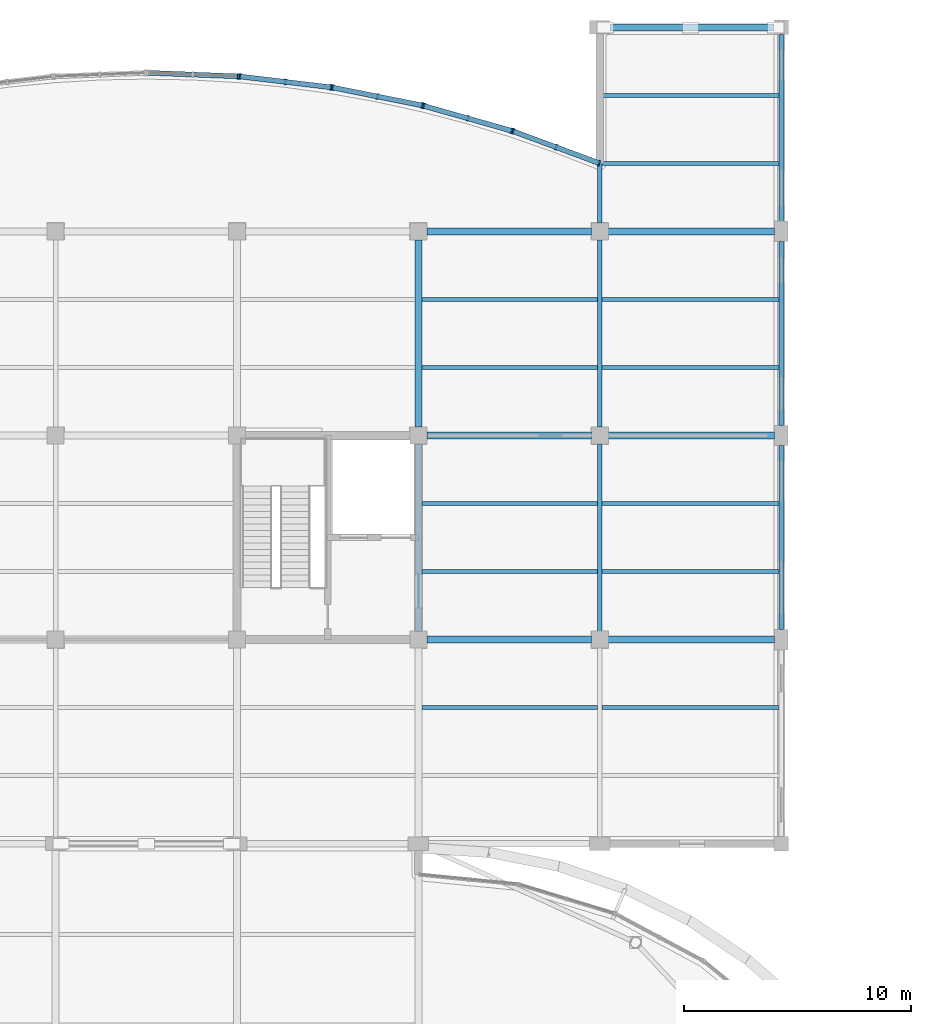
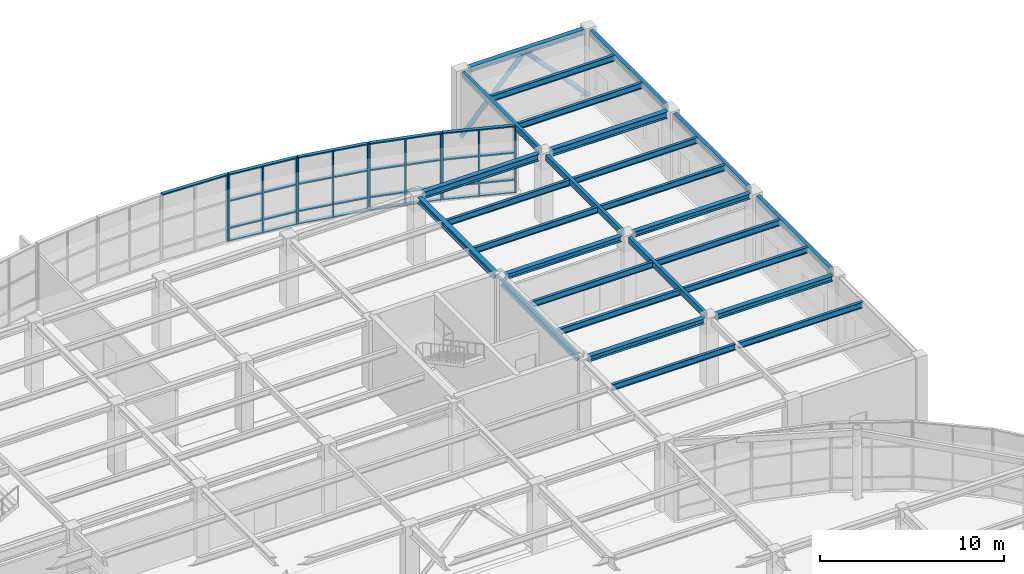
# One storey, part 34 of 72: 32 members, 27 beams, 5 elements without a shape of their own.
"""IFC4 building model written with IfcOpenShell, lengths in metres."""

from ifc_helpers import new_model, si_unit, direction, frame, origin, origin_2d, place, context, subcontext, project, spatial, rectangle, hollow_rectangle, hollow_circle, i_section, extrude, material, layer, layer_set, material_profile, profile_set, type_object, element, aggregate, save


model = new_model("IFC4")

# Units and contexts
model_context = context("Model", 3, precision=1e-05, world=origin(), true_north=direction((0.0, 1.0)))
body_context = subcontext(model_context, "Body", "Model", "MODEL_VIEW")
ifc_project = project(units=[si_unit("LENGTHUNIT", "METRE"), si_unit("AREAUNIT", "SQUARE_METRE"), si_unit("VOLUMEUNIT", "CUBIC_METRE"), si_unit("PLANEANGLEUNIT", "RADIAN"), si_unit("MASSUNIT", "GRAM", prefix="KILO")], contexts=[model_context])

# Site, building, storey
site_placement = place(None, origin())
site = spatial("IfcSite", under=ifc_project, at=site_placement, CompositionType="ELEMENT")
building_placement = place(site_placement, origin())
building = spatial("IfcBuilding", under=site, at=building_placement, Name="Keelwater Ferry Terminal", CompositionType="ELEMENT")
storey_placement = place(building_placement, frame((0.0, 0.0, 5.39990234375)))
storey = spatial("IfcBuildingStorey", under=building, at=storey_placement, Name="L01", CompositionType="ELEMENT", Elevation=5.39990234375)

# Members
ifc_material_1 = material(Name="Steel S355", Category="steel")
ifc_material_profile_1 = material_profile(ifc_material_1, hollow_circle(Radius=0.136474609375, WallThickness=0.012451171875, at=origin_2d()), Name="CHS 273x12.5")
ifc_profile_set_1 = profile_set([ifc_material_profile_1], Name="Steel S355")
member_type_1 = type_object("IfcMemberType", Name="BR2 CHS 273x12.5", PredefinedType="BRACE", material=ifc_profile_set_1)
for number, where, z_axis, x_axis, name in (
    (1, (172.0, 126.0, 0.0), (0.683655146647, 0.0, 0.729805207205), (0.0, 1.0, 0.0), "Structural Member MB-L01-0581"),
    (2, (180.0, 126.0, 0.0), (-0.683655146647, 0.0, 0.729805207205), (0.0, -1.0, 0.0), "Structural Member MB-L01-0582"),
):
    element("IfcMember", number, at=place(storey_placement, frame(where, z_axis=z_axis, x_axis=x_axis)), inside=storey, type_object=member_type_1, Name=name, PredefinedType="BRACE", context=body_context, shape_type="SweptSolid", body=[
        extrude(hollow_circle(Radius=0.136474609375, WallThickness=0.012451171875, at=origin_2d()), origin(), (0.0, 0.0, 1.0), 5.850830078125),
    ])

# Curtain wall, members
ifc_material_2 = material(Name="Thermally broken unitised aluminium and triple glass", Category="aluminium")
ifc_layer = layer(ifc_material_2, 0.179931640625)
ifc_layer_set = layer_set([ifc_layer], Name="Thermally broken unitised aluminium and triple glass")
curtain_wall_type = type_object("IfcCurtainWallType", Name="CW-21 Unitised Curtain Wall 4015x4400", PredefinedType="USERDEFINED", material=ifc_layer_set)
curtain_wall_1_placement = place(storey_placement, origin())
curtain_wall_1 = element("IfcCurtainWall", 3, at=curtain_wall_1_placement, inside=storey, type_object=curtain_wall_type, Name="Unitised Curtain Wall CW-L01-183", ObjectType="UNITISED CURTAIN WALL", PredefinedType="USERDEFINED")
ifc_material_3 = material(Name="Aluminium mullion", Category="aluminium")
ifc_material_profile_2 = material_profile(ifc_material_3, rectangle(XDim=0.080078125, YDim=0.25, at=origin_2d()), Name="CWM-04")
ifc_profile_set_2 = profile_set([ifc_material_profile_2], Name="Aluminium mullion")
member_type_2 = type_object("IfcMemberType", Name="CWM-04 Curtain Mullion 80x250", PredefinedType="MULLION", material=ifc_profile_set_2)
member_1_placement = place(storey_placement, frame((171.9580078125, 120.01611328125, 0.0), z_axis=(0.0, 0.0, 1.0), x_axis=(-0.937592418253, 0.347736189136, 0.0)))
member_1 = element("IfcMember", 4, at=member_1_placement, type_object=member_type_2, Name="CW-L01-183 Mullion 1", PredefinedType="MULLION", context=body_context, shape_type="SweptSolid", body=[
    extrude(rectangle(XDim=0.080078125, YDim=0.25, at=origin_2d()), origin(), (0.0, 0.0, 1.0), 4.400146484375),
])
member_2_placement = place(storey_placement, frame((170.075927734375, 120.714111328125, 0.0), z_axis=(0.0, 0.0, 1.0), x_axis=(-0.937592418253, 0.347736189136, 0.0)))
member_2 = element("IfcMember", 5, at=member_2_placement, type_object=member_type_2, Name="CW-L01-183 Mullion 2", PredefinedType="MULLION", context=body_context, shape_type="SweptSolid", body=[
    extrude(rectangle(XDim=0.080078125, YDim=0.25, at=origin_2d()), origin(), (0.0, 0.0, 1.0), 4.400146484375),
])
member_3_placement = place(storey_placement, frame((168.194091796875, 121.412109375, 0.0), z_axis=(0.0, 0.0, 1.0), x_axis=(-0.937592418253, 0.347736189136, 0.0)))
member_3 = element("IfcMember", 6, at=member_3_placement, type_object=member_type_2, Name="CW-L01-183 Mullion 3", PredefinedType="MULLION", context=body_context, shape_type="SweptSolid", body=[
    extrude(rectangle(XDim=0.080078125, YDim=0.25, at=origin_2d()), origin(), (0.0, 0.0, 1.0), 4.400146484375),
])

curtain_wall_2_placement = place(storey_placement, origin())
curtain_wall_2 = element("IfcCurtainWall", 7, at=curtain_wall_2_placement, inside=storey, type_object=curtain_wall_type, Name="Unitised Curtain Wall CW-L01-184", ObjectType="UNITISED CURTAIN WALL", PredefinedType="USERDEFINED")
member_4_placement = place(storey_placement, frame((168.10888671875, 121.43994140625, 0.0), z_axis=(0.0, 0.0, 1.0), x_axis=(-0.962029778706, 0.272944508797, 0.0)))
member_4 = element("IfcMember", 8, at=member_4_placement, type_object=member_type_2, Name="CW-L01-184 Mullion 1", PredefinedType="MULLION", context=body_context, shape_type="SweptSolid", body=[
    extrude(rectangle(XDim=0.080078125, YDim=0.25, at=origin_2d()), origin(), (0.0, 0.0, 1.0), 4.400146484375),
])
member_5_placement = place(storey_placement, frame((166.177490234375, 121.988037109375, 0.0), z_axis=(0.0, 0.0, 1.0), x_axis=(-0.962029778706, 0.272944508797, 0.0)))
member_5 = element("IfcMember", 9, at=member_5_placement, type_object=member_type_2, Name="CW-L01-184 Mullion 2", PredefinedType="MULLION", context=body_context, shape_type="SweptSolid", body=[
    extrude(rectangle(XDim=0.080078125, YDim=0.25, at=origin_2d()), origin(), (0.0, 0.0, 1.0), 4.400146484375),
])
member_6_placement = place(storey_placement, frame((164.24609375, 122.535888671875, 0.0), z_axis=(0.0, 0.0, 1.0), x_axis=(-0.962029778706, 0.272944508797, 0.0)))
member_6 = element("IfcMember", 10, at=member_6_placement, type_object=member_type_2, Name="CW-L01-184 Mullion 3", PredefinedType="MULLION", context=body_context, shape_type="SweptSolid", body=[
    extrude(rectangle(XDim=0.080078125, YDim=0.25, at=origin_2d()), origin(), (0.0, 0.0, 1.0), 4.400146484375),
])

curtain_wall_3_placement = place(storey_placement, origin())
curtain_wall_3 = element("IfcCurtainWall", 11, at=curtain_wall_3_placement, inside=storey, type_object=curtain_wall_type, Name="Unitised Curtain Wall CW-L01-185", ObjectType="UNITISED CURTAIN WALL", PredefinedType="USERDEFINED")
member_7_placement = place(storey_placement, frame((164.158935546875, 122.556884765625, 0.0), z_axis=(0.0, 0.0, 1.0), x_axis=(-0.98059983046, 0.196020336958, 0.0)))
member_7 = element("IfcMember", 12, at=member_7_placement, type_object=member_type_2, Name="CW-L01-185 Mullion 1", PredefinedType="MULLION", context=body_context, shape_type="SweptSolid", body=[
    extrude(rectangle(XDim=0.080078125, YDim=0.25, at=origin_2d()), origin(), (0.0, 0.0, 1.0), 4.400146484375),
])
member_8_placement = place(storey_placement, frame((162.1904296875, 122.950439453125, 0.0), z_axis=(0.0, 0.0, 1.0), x_axis=(-0.98059983046, 0.196020336958, 0.0)))
member_8 = element("IfcMember", 13, at=member_8_placement, type_object=member_type_2, Name="CW-L01-185 Mullion 2", PredefinedType="MULLION", context=body_context, shape_type="SweptSolid", body=[
    extrude(rectangle(XDim=0.080078125, YDim=0.25, at=origin_2d()), origin(), (0.0, 0.0, 1.0), 4.400146484375),
])
member_9_placement = place(storey_placement, frame((160.221923828125, 123.343994140625, 0.0), z_axis=(0.0, 0.0, 1.0), x_axis=(-0.98059983046, 0.196020336958, 0.0)))
member_9 = element("IfcMember", 14, at=member_9_placement, type_object=member_type_2, Name="CW-L01-185 Mullion 3", PredefinedType="MULLION", context=body_context, shape_type="SweptSolid", body=[
    extrude(rectangle(XDim=0.080078125, YDim=0.25, at=origin_2d()), origin(), (0.0, 0.0, 1.0), 4.400146484375),
])

curtain_wall_4_placement = place(storey_placement, origin())
curtain_wall_4 = element("IfcCurtainWall", 15, at=curtain_wall_4_placement, inside=storey, type_object=curtain_wall_type, Name="Unitised Curtain Wall CW-L01-186", ObjectType="UNITISED CURTAIN WALL", PredefinedType="USERDEFINED")
member_10_placement = place(storey_placement, frame((160.133056640625, 123.35791015625, 0.0), z_axis=(0.0, 0.0, 1.0), x_axis=(-0.992974342459, 0.118329857676, 0.0)))
member_10 = element("IfcMember", 16, at=member_10_placement, type_object=member_type_2, Name="CW-L01-186 Mullion 1", PredefinedType="MULLION", context=body_context, shape_type="SweptSolid", body=[
    extrude(rectangle(XDim=0.080078125, YDim=0.25, at=origin_2d()), origin(), (0.0, 0.0, 1.0), 4.400146484375),
])
member_11_placement = place(storey_placement, frame((158.139892578125, 123.595458984375, 0.0), z_axis=(0.0, 0.0, 1.0), x_axis=(-0.992974342459, 0.118329857676, 0.0)))
member_11 = element("IfcMember", 17, at=member_11_placement, type_object=member_type_2, Name="CW-L01-186 Mullion 2", PredefinedType="MULLION", context=body_context, shape_type="SweptSolid", body=[
    extrude(rectangle(XDim=0.080078125, YDim=0.25, at=origin_2d()), origin(), (0.0, 0.0, 1.0), 4.400146484375),
])
member_12_placement = place(storey_placement, frame((156.14697265625, 123.8330078125, 0.0), z_axis=(0.0, 0.0, 1.0), x_axis=(-0.992974342459, 0.118329857676, 0.0)))
member_12 = element("IfcMember", 18, at=member_12_placement, type_object=member_type_2, Name="CW-L01-186 Mullion 3", PredefinedType="MULLION", context=body_context, shape_type="SweptSolid", body=[
    extrude(rectangle(XDim=0.080078125, YDim=0.25, at=origin_2d()), origin(), (0.0, 0.0, 1.0), 4.400146484375),
])

# Curtain wall, member
curtain_wall_5_placement = place(storey_placement, origin())
curtain_wall_5 = element("IfcCurtainWall", 19, at=curtain_wall_5_placement, inside=storey, type_object=curtain_wall_type, Name="Unitised Curtain Wall CW-L01-187", ObjectType="UNITISED CURTAIN WALL", PredefinedType="USERDEFINED")
member_13_placement = place(storey_placement, frame((156.056884765625, 123.840087890625, 0.0), z_axis=(0.0, 0.0, 1.0), x_axis=(-0.999225435626, 0.039351350652, 0.0)))
member_13 = element("IfcMember", 20, at=member_13_placement, type_object=member_type_2, Name="CW-L01-187 Mullion 1", PredefinedType="MULLION", context=body_context, shape_type="SweptSolid", body=[
    extrude(rectangle(XDim=0.080078125, YDim=0.25, at=origin_2d()), origin(), (0.0, 0.0, 1.0), 4.400146484375),
])

# Member
ifc_material_4 = material(Name="Aluminium mullion", Category="aluminium")
ifc_material_profile_3 = material_profile(ifc_material_4, rectangle(XDim=0.219970703125, YDim=0.080078125, at=origin_2d()), Name="CWT-04")
ifc_profile_set_3 = profile_set([ifc_material_profile_3], Name="Aluminium mullion")
member_type_3 = type_object("IfcMemberType", Name="CWT-04 Curtain Transom 80x220", PredefinedType="USERDEFINED", material=ifc_profile_set_3)
member_14_placement = place(storey_placement, frame((171.9580078125, 120.01611328125, 0.0), z_axis=(-0.937590205769, 0.347742154543, 0.0), x_axis=(-0.347742154543, -0.937590205769, 0.0)))
member_14 = element("IfcMember", 21, at=member_14_placement, type_object=member_type_3, Name="CW-L01-183 Transom 1", ObjectType="TRANSOM", PredefinedType="USERDEFINED", context=body_context, shape_type="SweptSolid", body=[
    extrude(rectangle(XDim=0.219970703125, YDim=0.080078125, at=origin_2d()), origin(), (0.0, 0.0, 1.0), 4.014404296875),
])

member_15_placement = place(storey_placement, frame((171.9580078125, 120.01611328125, 0.85009765625), z_axis=(-0.937590205769, 0.347742154543, 0.0), x_axis=(-0.347742154543, -0.937590205769, 0.0)))
member_15 = element("IfcMember", 22, at=member_15_placement, type_object=member_type_3, Name="CW-L01-183 Transom 2", ObjectType="TRANSOM", PredefinedType="USERDEFINED", context=body_context, shape_type="SweptSolid", body=[
    extrude(rectangle(XDim=0.219970703125, YDim=0.080078125, at=origin_2d()), origin(), (0.0, 0.0, 1.0), 4.014404296875),
])

member_16_placement = place(storey_placement, frame((171.9580078125, 120.01611328125, 2.650146484375), z_axis=(-0.937590205769, 0.347742154543, 0.0), x_axis=(-0.347742154543, -0.937590205769, 0.0)))
member_16 = element("IfcMember", 23, at=member_16_placement, type_object=member_type_3, Name="CW-L01-183 Transom 3", ObjectType="TRANSOM", PredefinedType="USERDEFINED", context=body_context, shape_type="SweptSolid", body=[
    extrude(rectangle(XDim=0.219970703125, YDim=0.080078125, at=origin_2d()), origin(), (0.0, 0.0, 1.0), 4.014404296875),
])

member_17_placement = place(storey_placement, frame((171.9580078125, 120.01611328125, 4.400146484375), z_axis=(-0.937590205769, 0.347742154543, 0.0), x_axis=(-0.347742154543, -0.937590205769, 0.0)))
member_17 = element("IfcMember", 24, at=member_17_placement, type_object=member_type_3, Name="CW-L01-183 Transom 4", ObjectType="TRANSOM", PredefinedType="USERDEFINED", context=body_context, shape_type="SweptSolid", body=[
    extrude(rectangle(XDim=0.219970703125, YDim=0.080078125, at=origin_2d()), origin(), (0.0, 0.0, 1.0), 4.014404296875),
])

aggregate(curtain_wall_1, [member_1, member_2, member_3, member_14, member_15, member_16, member_17])

member_18_placement = place(storey_placement, frame((168.10888671875, 121.43994140625, 0.0), z_axis=(-0.962029386072, 0.272945892686, 0.0), x_axis=(-0.272945892686, -0.962029386072, 0.0)))
member_18 = element("IfcMember", 25, at=member_18_placement, type_object=member_type_3, Name="CW-L01-184 Transom 1", ObjectType="TRANSOM", PredefinedType="USERDEFINED", context=body_context, shape_type="SweptSolid", body=[
    extrude(rectangle(XDim=0.219970703125, YDim=0.080078125, at=origin_2d()), origin(), (0.0, 0.0, 1.0), 4.01513671875),
])

member_19_placement = place(storey_placement, frame((168.10888671875, 121.43994140625, 0.85009765625), z_axis=(-0.962029386072, 0.272945892686, 0.0), x_axis=(-0.272945892686, -0.962029386072, 0.0)))
member_19 = element("IfcMember", 26, at=member_19_placement, type_object=member_type_3, Name="CW-L01-184 Transom 2", ObjectType="TRANSOM", PredefinedType="USERDEFINED", context=body_context, shape_type="SweptSolid", body=[
    extrude(rectangle(XDim=0.219970703125, YDim=0.080078125, at=origin_2d()), origin(), (0.0, 0.0, 1.0), 4.01513671875),
])

member_20_placement = place(storey_placement, frame((168.10888671875, 121.43994140625, 2.650146484375), z_axis=(-0.962029386072, 0.272945892686, 0.0), x_axis=(-0.272945892686, -0.962029386072, 0.0)))
member_20 = element("IfcMember", 27, at=member_20_placement, type_object=member_type_3, Name="CW-L01-184 Transom 3", ObjectType="TRANSOM", PredefinedType="USERDEFINED", context=body_context, shape_type="SweptSolid", body=[
    extrude(rectangle(XDim=0.219970703125, YDim=0.080078125, at=origin_2d()), origin(), (0.0, 0.0, 1.0), 4.01513671875),
])

member_21_placement = place(storey_placement, frame((168.10888671875, 121.43994140625, 4.400146484375), z_axis=(-0.962029386072, 0.272945892686, 0.0), x_axis=(-0.272945892686, -0.962029386072, 0.0)))
member_21 = element("IfcMember", 28, at=member_21_placement, type_object=member_type_3, Name="CW-L01-184 Transom 4", ObjectType="TRANSOM", PredefinedType="USERDEFINED", context=body_context, shape_type="SweptSolid", body=[
    extrude(rectangle(XDim=0.219970703125, YDim=0.080078125, at=origin_2d()), origin(), (0.0, 0.0, 1.0), 4.01513671875),
])

aggregate(curtain_wall_2, [member_4, member_5, member_6, member_18, member_19, member_20, member_21])

member_22_placement = place(storey_placement, frame((164.158935546875, 122.556884765625, 0.0), z_axis=(-0.980594705866, 0.196045971209, 0.0), x_axis=(-0.196045971209, -0.980594705866, 0.0)))
member_22 = element("IfcMember", 29, at=member_22_placement, type_object=member_type_3, Name="CW-L01-185 Transom 1", ObjectType="TRANSOM", PredefinedType="USERDEFINED", context=body_context, shape_type="SweptSolid", body=[
    extrude(rectangle(XDim=0.219970703125, YDim=0.080078125, at=origin_2d()), origin(), (0.0, 0.0, 1.0), 4.014892578125),
])

member_23_placement = place(storey_placement, frame((164.158935546875, 122.556884765625, 0.85009765625), z_axis=(-0.980594705866, 0.196045971209, 0.0), x_axis=(-0.196045971209, -0.980594705866, 0.0)))
member_23 = element("IfcMember", 30, at=member_23_placement, type_object=member_type_3, Name="CW-L01-185 Transom 2", ObjectType="TRANSOM", PredefinedType="USERDEFINED", context=body_context, shape_type="SweptSolid", body=[
    extrude(rectangle(XDim=0.219970703125, YDim=0.080078125, at=origin_2d()), origin(), (0.0, 0.0, 1.0), 4.014892578125),
])

member_24_placement = place(storey_placement, frame((164.158935546875, 122.556884765625, 2.650146484375), z_axis=(-0.980594705866, 0.196045971209, 0.0), x_axis=(-0.196045971209, -0.980594705866, 0.0)))
member_24 = element("IfcMember", 31, at=member_24_placement, type_object=member_type_3, Name="CW-L01-185 Transom 3", ObjectType="TRANSOM", PredefinedType="USERDEFINED", context=body_context, shape_type="SweptSolid", body=[
    extrude(rectangle(XDim=0.219970703125, YDim=0.080078125, at=origin_2d()), origin(), (0.0, 0.0, 1.0), 4.014892578125),
])

member_25_placement = place(storey_placement, frame((164.158935546875, 122.556884765625, 4.400146484375), z_axis=(-0.980594705866, 0.196045971209, 0.0), x_axis=(-0.196045971209, -0.980594705866, 0.0)))
member_25 = element("IfcMember", 32, at=member_25_placement, type_object=member_type_3, Name="CW-L01-185 Transom 4", ObjectType="TRANSOM", PredefinedType="USERDEFINED", context=body_context, shape_type="SweptSolid", body=[
    extrude(rectangle(XDim=0.219970703125, YDim=0.080078125, at=origin_2d()), origin(), (0.0, 0.0, 1.0), 4.014892578125),
])

aggregate(curtain_wall_3, [member_7, member_8, member_9, member_22, member_23, member_24, member_25])

member_26_placement = place(storey_placement, frame((160.133056640625, 123.35791015625, 0.0), z_axis=(-0.992971776767, 0.1183513859, 0.0), x_axis=(-0.1183513859, -0.992971776767, 0.0)))
member_26 = element("IfcMember", 33, at=member_26_placement, type_object=member_type_3, Name="CW-L01-186 Transom 1", ObjectType="TRANSOM", PredefinedType="USERDEFINED", context=body_context, shape_type="SweptSolid", body=[
    extrude(rectangle(XDim=0.219970703125, YDim=0.080078125, at=origin_2d()), origin(), (0.0, 0.0, 1.0), 4.014404296875),
])

member_27_placement = place(storey_placement, frame((160.133056640625, 123.35791015625, 0.85009765625), z_axis=(-0.992971776767, 0.1183513859, 0.0), x_axis=(-0.1183513859, -0.992971776767, 0.0)))
member_27 = element("IfcMember", 34, at=member_27_placement, type_object=member_type_3, Name="CW-L01-186 Transom 2", ObjectType="TRANSOM", PredefinedType="USERDEFINED", context=body_context, shape_type="SweptSolid", body=[
    extrude(rectangle(XDim=0.219970703125, YDim=0.080078125, at=origin_2d()), origin(), (0.0, 0.0, 1.0), 4.014404296875),
])

member_28_placement = place(storey_placement, frame((160.133056640625, 123.35791015625, 2.650146484375), z_axis=(-0.992971776767, 0.1183513859, 0.0), x_axis=(-0.1183513859, -0.992971776767, 0.0)))
member_28 = element("IfcMember", 35, at=member_28_placement, type_object=member_type_3, Name="CW-L01-186 Transom 3", ObjectType="TRANSOM", PredefinedType="USERDEFINED", context=body_context, shape_type="SweptSolid", body=[
    extrude(rectangle(XDim=0.219970703125, YDim=0.080078125, at=origin_2d()), origin(), (0.0, 0.0, 1.0), 4.014404296875),
])

member_29_placement = place(storey_placement, frame((160.133056640625, 123.35791015625, 4.400146484375), z_axis=(-0.992971776767, 0.1183513859, 0.0), x_axis=(-0.1183513859, -0.992971776767, 0.0)))
member_29 = element("IfcMember", 36, at=member_29_placement, type_object=member_type_3, Name="CW-L01-186 Transom 4", ObjectType="TRANSOM", PredefinedType="USERDEFINED", context=body_context, shape_type="SweptSolid", body=[
    extrude(rectangle(XDim=0.219970703125, YDim=0.080078125, at=origin_2d()), origin(), (0.0, 0.0, 1.0), 4.014404296875),
])

aggregate(curtain_wall_4, [member_10, member_11, member_12, member_26, member_27, member_28, member_29])

member_30_placement = place(storey_placement, frame((156.056884765625, 123.840087890625, 4.400146484375), z_axis=(-0.999225822944, 0.03934151448, 0.0), x_axis=(-0.03934151448, -0.999225822944, 0.0)))
member_30 = element("IfcMember", 37, at=member_30_placement, type_object=member_type_3, Name="CW-L01-187 Transom 4", ObjectType="TRANSOM", PredefinedType="USERDEFINED", context=body_context, shape_type="SweptSolid", body=[
    extrude(rectangle(XDim=0.219970703125, YDim=0.080078125, at=origin_2d()), origin(), (0.0, 0.0, 1.0), 4.01513671875),
])

aggregate(curtain_wall_5, [member_13, member_30])

# Beams
ifc_material_5 = material(Name="Steel S355", Category="steel")
ifc_material_profile_4 = material_profile(ifc_material_5, i_section(OverallWidth=0.300048828125, OverallDepth=0.449951171875, WebThickness=0.013916015625, FlangeThickness=0.02587890625, at=origin_2d()), Name="HEB 450")
ifc_profile_set_4 = profile_set([ifc_material_profile_4], Name="Steel S355")
beam_type_1 = type_object("IfcBeamType", Name="G6 HEB 450", PredefinedType="BEAM", material=ifc_profile_set_4)
beam_1_placement = place(storey_placement, frame((164.367919921875, 117.0, 4.295166015625), z_axis=(1.0, 0.0, 0.0), x_axis=(0.0, 1.0, 0.0)))
element("IfcBeam", 38, at=beam_1_placement, inside=storey, type_object=beam_type_1, Name="Beam BM-L01-0706", PredefinedType="BEAM", context=body_context, shape_type="SweptSolid", body=[
    extrude(i_section(OverallWidth=0.300048828125, OverallDepth=0.449951171875, WebThickness=0.013916015625, FlangeThickness=0.02587890625, at=origin_2d()), origin(), (0.0, 0.0, 1.0), 7.26416015625),
])
beam_2_placement = place(storey_placement, frame((172.367919921875, 117.0, 4.295166015625), z_axis=(1.0, 0.0, 0.0), x_axis=(0.0, 1.0, 0.0)))
element("IfcBeam", 39, at=beam_2_placement, inside=storey, type_object=beam_type_1, Name="Beam BM-L01-0707", PredefinedType="BEAM", context=body_context, shape_type="SweptSolid", body=[
    extrude(i_section(OverallWidth=0.300048828125, OverallDepth=0.449951171875, WebThickness=0.013916015625, FlangeThickness=0.02587890625, at=origin_2d()), origin(), (0.0, 0.0, 1.0), 7.338134765625),
])
ifc_material_6 = material(Name="Steel S355", Category="steel")
ifc_material_profile_5 = material_profile(ifc_material_6, i_section(OverallWidth=0.300048828125, OverallDepth=0.39990234375, WebThickness=0.013427734375, FlangeThickness=0.02392578125, at=origin_2d()), Name="HEB 400")
ifc_profile_set_5 = profile_set([ifc_material_profile_5], Name="Steel S355")
beam_type_2 = type_object("IfcBeamType", Name="G7 HEB 400", PredefinedType="BEAM", material=ifc_profile_set_5)
for number, where, z_axis, x_axis, name in (
    (40, (164.0, 99.367919921875, 4.320068359375), (0.0, 1.0, 0.0), (-1.0, 0.0, 0.0), "Beam BM-L01-0797"),
    (41, (164.0, 108.367919921875, 4.320068359375), (0.0, 1.0, 0.0), (-1.0, 0.0, 0.0), "Beam BM-L01-0798"),
):
    element("IfcBeam", number, at=place(storey_placement, frame(where, z_axis=z_axis, x_axis=x_axis)), inside=storey, type_object=beam_type_2, Name=name, PredefinedType="BEAM", context=body_context, shape_type="SweptSolid", body=[
        extrude(i_section(OverallWidth=0.300048828125, OverallDepth=0.39990234375, WebThickness=0.013427734375, FlangeThickness=0.02392578125, at=origin_2d()), origin(), (0.0, 0.0, 1.0), 8.26416015625),
    ])
ifc_material_7 = material(Name="Steel S355", Category="steel")
ifc_material_profile_6 = material_profile(ifc_material_7, i_section(OverallWidth=0.179931640625, OverallDepth=0.39990234375, WebThickness=0.008544921875, FlangeThickness=0.013427734375, at=origin_2d()), Name="IPE 400")
ifc_profile_set_6 = profile_set([ifc_material_profile_6], Name="Steel S355")
beam_type_3 = type_object("IfcBeamType", Name="J5 IPE 400", PredefinedType="JOIST", material=ifc_profile_set_6)
for number, where, z_axis, x_axis, name in (
    (42, (164.14990234375, 96.0, 4.320068359375), (1.0, 0.0, 0.0), (0.0, 1.0, 0.0), "Beam BM-L01-0939"),
    (43, (164.14990234375, 102.0, 4.320068359375), (1.0, 0.0, 0.0), (0.0, 1.0, 0.0), "Beam BM-L01-0940"),
    (44, (164.14990234375, 105.0, 4.320068359375), (1.0, 0.0, 0.0), (0.0, 1.0, 0.0), "Beam BM-L01-0941"),
    (45, (164.14990234375, 111.0, 4.320068359375), (1.0, 0.0, 0.0), (0.0, 1.0, 0.0), "Beam BM-L01-0942"),
    (46, (164.14990234375, 114.0, 4.320068359375), (1.0, 0.0, 0.0), (0.0, 1.0, 0.0), "Beam BM-L01-0943"),
):
    element("IfcBeam", number, at=place(storey_placement, frame(where, z_axis=z_axis, x_axis=x_axis)), inside=storey, type_object=beam_type_3, Name=name, PredefinedType="JOIST", context=body_context, shape_type="SweptSolid", body=[
        extrude(i_section(OverallWidth=0.179931640625, OverallDepth=0.39990234375, WebThickness=0.008544921875, FlangeThickness=0.013427734375, at=origin_2d()), origin(), (0.0, 0.0, 1.0), 7.75),
    ])
for number, where, z_axis, x_axis, name in (
    (47, (172.10009765625, 96.0, 4.320068359375), (1.0, 0.0, 0.0), (0.0, 1.0, 0.0), "Beam BM-L01-0949"),
    (48, (172.10009765625, 102.0, 4.320068359375), (1.0, 0.0, 0.0), (0.0, 1.0, 0.0), "Beam BM-L01-0950"),
    (49, (172.10009765625, 105.0, 4.320068359375), (1.0, 0.0, 0.0), (0.0, 1.0, 0.0), "Beam BM-L01-0951"),
    (50, (172.10009765625, 111.0, 4.320068359375), (1.0, 0.0, 0.0), (0.0, 1.0, 0.0), "Beam BM-L01-0952"),
    (51, (172.10009765625, 114.0, 4.320068359375), (1.0, 0.0, 0.0), (0.0, 1.0, 0.0), "Beam BM-L01-0953"),
    (52, (172.10009765625, 120.0, 4.320068359375), (1.0, 0.0, 0.0), (0.0, 1.0, 0.0), "Beam BM-L01-0954"),
    (53, (172.10009765625, 123.0, 4.320068359375), (1.0, 0.0, 0.0), (0.0, 1.0, 0.0), "Beam BM-L01-0955"),
):
    element("IfcBeam", number, at=place(storey_placement, frame(where, z_axis=z_axis, x_axis=x_axis)), inside=storey, type_object=beam_type_3, Name=name, PredefinedType="JOIST", context=body_context, shape_type="SweptSolid", body=[
        extrude(i_section(OverallWidth=0.179931640625, OverallDepth=0.39990234375, WebThickness=0.008544921875, FlangeThickness=0.013427734375, at=origin_2d()), origin(), (0.0, 0.0, 1.0), 7.7998046875),
    ])
ifc_material_8 = material(Name="Steel S355", Category="steel")
ifc_material_profile_7 = material_profile(ifc_material_8, i_section(OverallWidth=0.300048828125, OverallDepth=0.35009765625, WebThickness=0.010009765625, FlangeThickness=0.017578125, at=origin_2d()), Name="HEA 360")
ifc_profile_set_7 = profile_set([ifc_material_profile_7], Name="Steel S355")
beam_type_4 = type_object("IfcBeamType", Name="SP1E HEA 360", PredefinedType="SPANDREL", material=ifc_profile_set_7)
beam_3_placement = place(storey_placement, frame((164.367919921875, 99.0, 4.34521484375), z_axis=(1.0, 0.0, 0.0), x_axis=(0.0, 1.0, 0.0)))
element("IfcBeam", 54, at=beam_3_placement, inside=storey, type_object=beam_type_4, Name="Beam BM-L01-0690", PredefinedType="SPANDREL", context=body_context, shape_type="SweptSolid", body=[
    extrude(i_section(OverallWidth=0.300048828125, OverallDepth=0.35009765625, WebThickness=0.010009765625, FlangeThickness=0.017578125, at=origin_2d()), origin(), (0.0, 0.0, 1.0), 7.26416015625),
])
beam_4_placement = place(storey_placement, frame((172.367919921875, 99.0, 4.34521484375), z_axis=(1.0, 0.0, 0.0), x_axis=(0.0, 1.0, 0.0)))
element("IfcBeam", 55, at=beam_4_placement, inside=storey, type_object=beam_type_4, Name="Beam BM-L01-0691", PredefinedType="SPANDREL", context=body_context, shape_type="SweptSolid", body=[
    extrude(i_section(OverallWidth=0.300048828125, OverallDepth=0.35009765625, WebThickness=0.010009765625, FlangeThickness=0.017578125, at=origin_2d()), origin(), (0.0, 0.0, 1.0), 7.338134765625),
])
beam_5_placement = place(storey_placement, frame((164.367919921875, 108.0, 4.34521484375), z_axis=(1.0, 0.0, 0.0), x_axis=(0.0, 1.0, 0.0)))
element("IfcBeam", 56, at=beam_5_placement, inside=storey, type_object=beam_type_4, Name="Beam BM-L01-0698", PredefinedType="SPANDREL", context=body_context, shape_type="SweptSolid", body=[
    extrude(i_section(OverallWidth=0.300048828125, OverallDepth=0.35009765625, WebThickness=0.010009765625, FlangeThickness=0.017578125, at=origin_2d()), origin(), (0.0, 0.0, 1.0), 7.26416015625),
])
beam_6_placement = place(storey_placement, frame((172.367919921875, 108.0, 4.34521484375), z_axis=(1.0, 0.0, 0.0), x_axis=(0.0, 1.0, 0.0)))
element("IfcBeam", 57, at=beam_6_placement, inside=storey, type_object=beam_type_4, Name="Beam BM-L01-0699", PredefinedType="SPANDREL", context=body_context, shape_type="SweptSolid", body=[
    extrude(i_section(OverallWidth=0.300048828125, OverallDepth=0.35009765625, WebThickness=0.010009765625, FlangeThickness=0.017578125, at=origin_2d()), origin(), (0.0, 0.0, 1.0), 7.338134765625),
])
beam_7_placement = place(storey_placement, frame((172.44091796875, 126.0, 4.34521484375), z_axis=(1.0, 0.0, 0.0), x_axis=(0.0, 1.0, 0.0)))
element("IfcBeam", 58, at=beam_7_placement, inside=storey, type_object=beam_type_4, Name="Beam BM-L01-0710", PredefinedType="SPANDREL", context=body_context, shape_type="SweptSolid", body=[
    extrude(i_section(OverallWidth=0.300048828125, OverallDepth=0.35009765625, WebThickness=0.010009765625, FlangeThickness=0.017578125, at=origin_2d()), origin(), (0.0, 0.0, 1.0), 7.240966796875),
])
ifc_material_9 = material(Name="Steel S355", Category="steel")
ifc_material_profile_8 = material_profile(ifc_material_9, hollow_rectangle(XDim=0.199951171875, YDim=0.39990234375, WallThickness=0.01611328125, at=origin_2d()), Name="RHS 400x200x16")
ifc_profile_set_8 = profile_set([ifc_material_profile_8], Name="Steel S355")
beam_type_5 = type_object("IfcBeamType", Name="SP3E RHS 400x200x16", PredefinedType="SPANDREL", material=ifc_profile_set_8)
for number, where, z_axis, x_axis, name in (
    (59, (172.0, 99.367919921875, 4.320068359375), (0.0, 1.0, 0.0), (-1.0, 0.0, 0.0), "Beam BM-L01-0802"),
    (60, (172.0, 108.367919921875, 4.320068359375), (0.0, 1.0, 0.0), (-1.0, 0.0, 0.0), "Beam BM-L01-0803"),
):
    element("IfcBeam", number, at=place(storey_placement, frame(where, z_axis=z_axis, x_axis=x_axis)), inside=storey, type_object=beam_type_5, Name=name, PredefinedType="SPANDREL", context=body_context, shape_type="SweptSolid", body=[
        extrude(hollow_rectangle(XDim=0.199951171875, YDim=0.39990234375, WallThickness=0.01611328125, at=origin_2d()), origin(), (0.0, 0.0, 1.0), 8.26416015625),
    ])
beam_8_placement = place(storey_placement, frame((172.0, 117.367919921875, 4.320068359375), z_axis=(0.0, 1.0, 0.0), x_axis=(-1.0, 0.0, 0.0)))
element("IfcBeam", 61, at=beam_8_placement, inside=storey, type_object=beam_type_5, Name="Beam BM-L01-0804", PredefinedType="SPANDREL", context=body_context, shape_type="SweptSolid", body=[
    extrude(hollow_rectangle(XDim=0.199951171875, YDim=0.39990234375, WallThickness=0.01611328125, at=origin_2d()), origin(), (0.0, 0.0, 1.0), 8.338134765625),
])
for number, where, z_axis, x_axis, name in (
    (62, (180.0, 99.44091796875, 4.320068359375), (0.0, 1.0, 0.0), (-1.0, 0.0, 0.0), "Beam BM-L01-0808"),
    (63, (180.0, 108.44091796875, 4.320068359375), (0.0, 1.0, 0.0), (-1.0, 0.0, 0.0), "Beam BM-L01-0809"),
):
    element("IfcBeam", number, at=place(storey_placement, frame(where, z_axis=z_axis, x_axis=x_axis)), inside=storey, type_object=beam_type_5, Name=name, PredefinedType="SPANDREL", context=body_context, shape_type="SweptSolid", body=[
        extrude(hollow_rectangle(XDim=0.199951171875, YDim=0.39990234375, WallThickness=0.01611328125, at=origin_2d()), origin(), (0.0, 0.0, 1.0), 8.1181640625),
    ])
beam_9_placement = place(storey_placement, frame((180.0, 117.44091796875, 4.320068359375), z_axis=(0.0, 1.0, 0.0), x_axis=(-1.0, 0.0, 0.0)))
element("IfcBeam", 64, at=beam_9_placement, inside=storey, type_object=beam_type_5, Name="Beam BM-L01-0810", PredefinedType="SPANDREL", context=body_context, shape_type="SweptSolid", body=[
    extrude(hollow_rectangle(XDim=0.199951171875, YDim=0.39990234375, WallThickness=0.01611328125, at=origin_2d()), origin(), (0.0, 0.0, 1.0), 8.240966796875),
])

save(model, "model.ifc")
